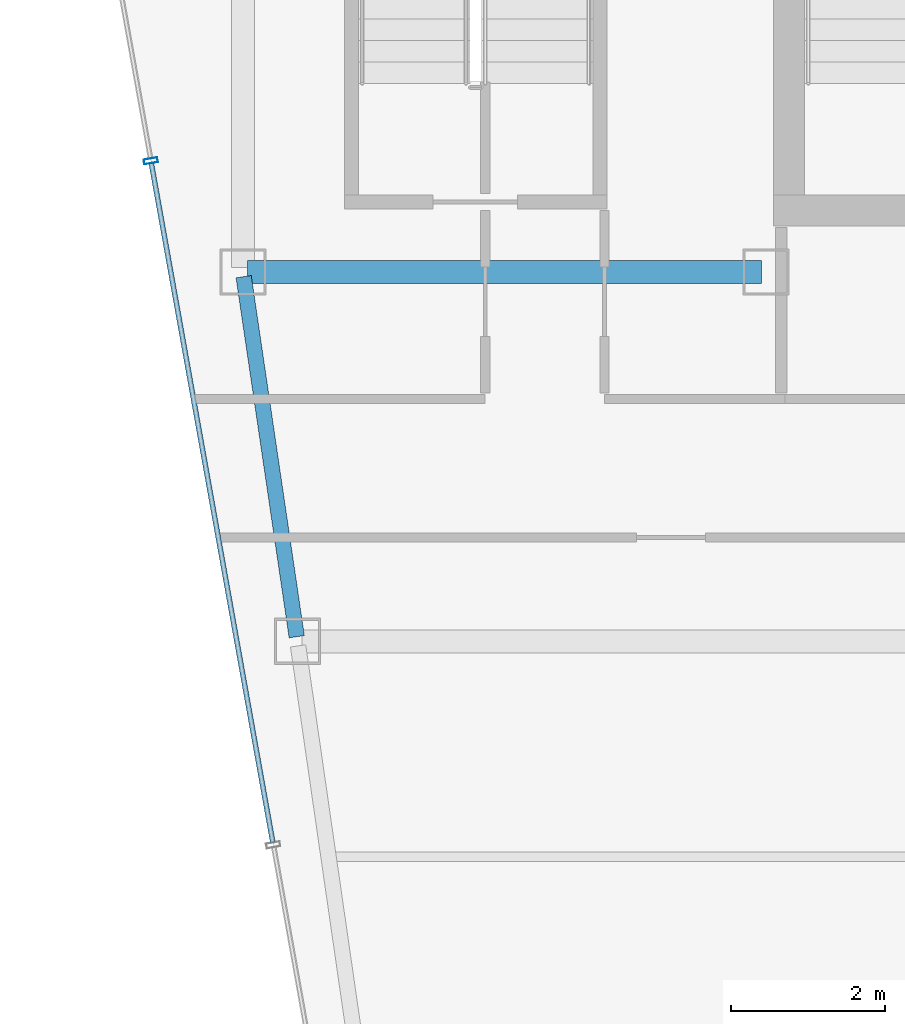
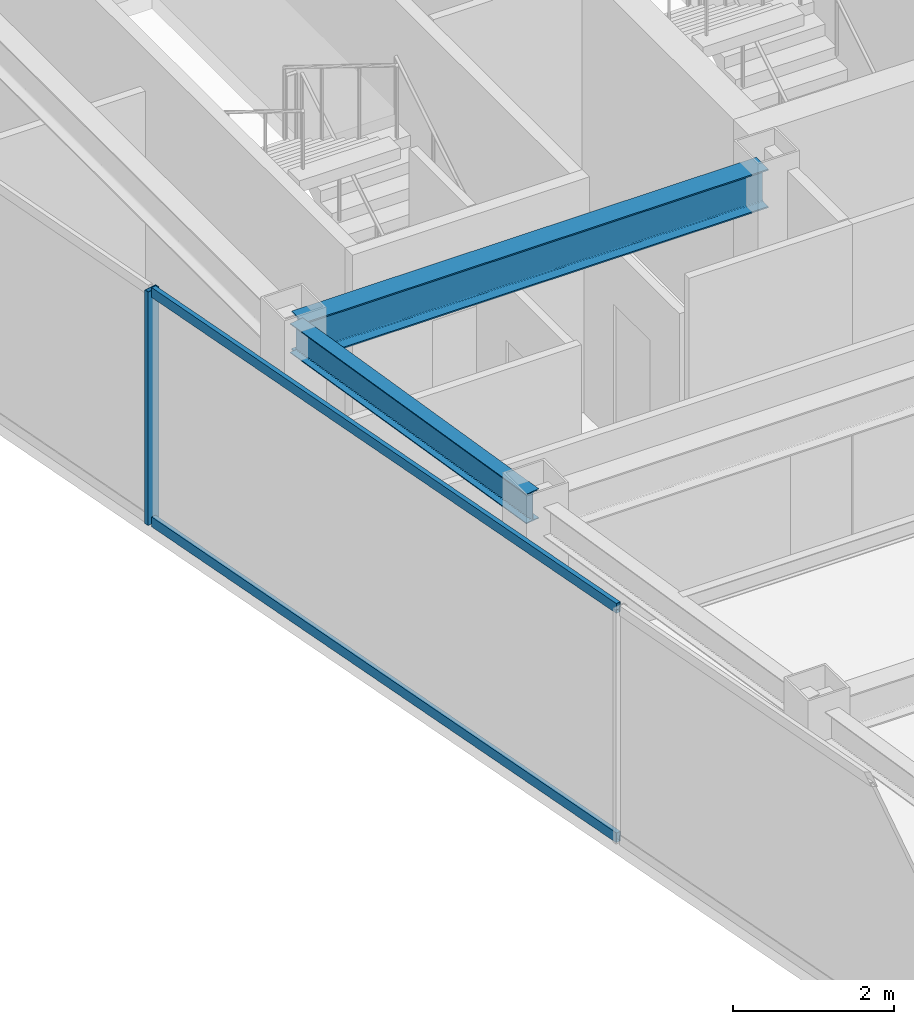
# One storey, part 9 of 32: 3 members, 2 beams, 1 element without a shape of its own.
"""IFC4 building model written with IfcOpenShell, lengths in metres."""

from ifc_helpers import new_model, si_unit, direction, frame, origin, origin_2d, place, context, subcontext, project, spatial, hollow_rectangle, i_section, extrude, material, material_profile, profile_set, type_object, element, aggregate, save


model = new_model("IFC4")

# Units and contexts
model_context = context("Model", 3, precision=1e-05, world=origin(), true_north=direction((0.0, 1.0)))
body_context = subcontext(model_context, "Body", "Model", "MODEL_VIEW")
ifc_project = project(units=[si_unit("LENGTHUNIT", "METRE"), si_unit("AREAUNIT", "SQUARE_METRE"), si_unit("VOLUMEUNIT", "CUBIC_METRE"), si_unit("PLANEANGLEUNIT", "RADIAN"), si_unit("MASSUNIT", "GRAM", prefix="KILO")], contexts=[model_context])

# Site, building, storey
site_placement = place(None, origin())
site = spatial("IfcSite", under=ifc_project, at=site_placement, CompositionType="ELEMENT")
building_placement = place(site_placement, origin())
building = spatial("IfcBuilding", under=site, at=building_placement, Name="Saevonmaru Cultural Tower", CompositionType="ELEMENT")
storey_placement = place(building_placement, frame((0.0, 0.0, 264.800048828125)))
storey = spatial("IfcBuildingStorey", under=building, at=storey_placement, Name="L62", CompositionType="ELEMENT", Elevation=264.800048828125)

# Beams
ifc_material_1 = material(Name="Steel SM355", Category="steel")
ifc_material_profile_1 = material_profile(ifc_material_1, i_section(OverallWidth=0.300048828125, OverallDepth=0.587890625, WebThickness=0.011962890625, FlangeThickness=0.02001953125, FilletRadius=0.02392578125, at=origin_2d()), Name="H-588x300x12x20")
ifc_profile_set_1 = profile_set([ifc_material_profile_1], Name="Steel SM355")
beam_type_1 = type_object("IfcBeamType", Name="BM-G-H588", PredefinedType="BEAM", material=ifc_profile_set_1)
beam_1_placement = place(storey_placement, frame((6.860107421875, 42.39990234375, 3.255859375), z_axis=(1.0, 0.0, 0.0), x_axis=(0.0, 1.0, 0.0)))
element("IfcBeam", 1, at=beam_1_placement, inside=storey, type_object=beam_type_1, Name="L62 Core South Girder 1", PredefinedType="BEAM", context=body_context, shape_type="SweptSolid", body=[
    extrude(i_section(OverallWidth=0.300048828125, OverallDepth=0.587890625, WebThickness=0.011962890625, FlangeThickness=0.02001953125, FilletRadius=0.02392578125, at=origin_2d()), origin(), (0.0, 0.0, 1.0), 6.679931640625),
])
ifc_material_profile_2 = material_profile(ifc_material_1, i_section(OverallWidth=0.199951171875, OverallDepth=0.449951171875, WebThickness=0.009033203125, FlangeThickness=0.013916015625, FilletRadius=0.01806640625, at=origin_2d()), Name="H-450x200x9x14")
ifc_profile_set_2 = profile_set([ifc_material_profile_2], Name="Steel SM355")
beam_type_2 = type_object("IfcBeamType", Name="BM-SP-H450", PredefinedType="SPANDREL", material=ifc_profile_set_2)
beam_2_placement = place(storey_placement, frame((7.499267578125, 37.659423828125, 3.324951171875), z_axis=(-0.145912860028, 0.989297446312, 0.0), x_axis=(-0.989297446312, -0.145912860028, 0.0)))
element("IfcBeam", 2, at=beam_2_placement, inside=storey, type_object=beam_type_2, Name="L62 West Splayed Spandrel 3", PredefinedType="SPANDREL", context=body_context, shape_type="SweptSolid", body=[
    extrude(i_section(OverallWidth=0.199951171875, OverallDepth=0.449951171875, WebThickness=0.009033203125, FlangeThickness=0.013916015625, FilletRadius=0.01806640625, at=origin_2d()), origin(), (0.0, 0.0, 1.0), 4.731689453125),
])

# Curtain wall, members
ifc_material_2 = material(Name="Satin Bronze Anodised Aluminium", Category="aluminium")
curtain_wall_type = type_object("IfcCurtainWallType", Name="CW-TYP-B", PredefinedType="NOTDEFINED", material=ifc_material_2)
curtain_wall_placement = place(storey_placement, origin())
curtain_wall = element("IfcCurtainWall", 3, at=curtain_wall_placement, inside=storey, type_object=curtain_wall_type, Name="L62 Unitised Curtain Wall E12", PredefinedType="NOTDEFINED")
ifc_material_profile_3 = material_profile(ifc_material_2, hollow_rectangle(XDim=0.06494140625, YDim=0.179931640625, WallThickness=0.00390625, at=origin_2d()), Name="ALU-MULL-180x65x4")
ifc_profile_set_3 = profile_set([ifc_material_profile_3], Name="Satin Bronze Anodised Aluminium")
member_type_1 = type_object("IfcMemberType", Name="ML-CW-180x65", PredefinedType="MULLION", material=ifc_profile_set_3)
member_1_placement = place(storey_placement, frame((5.60205078125, 43.846923828125, 0.0), z_axis=(0.0, 0.0, 1.0), x_axis=(0.176140740755, -0.984364993001, 0.0)))
member_1 = element("IfcMember", 4, at=member_1_placement, type_object=member_type_1, Name="CW-TW-L62-E12 mullion 2", PredefinedType="MULLION", context=body_context, shape_type="SweptSolid", body=[
    extrude(hollow_rectangle(XDim=0.06494140625, YDim=0.179931640625, WallThickness=0.00390625, at=origin_2d()), origin(), (0.0, 0.0, 1.0), 3.550048828125),
])
ifc_material_profile_4 = material_profile(ifc_material_2, hollow_rectangle(XDim=0.06494140625, YDim=0.14990234375, WallThickness=0.00390625, at=origin_2d()), Name="ALU-TRAN-150x65x4")
ifc_profile_set_4 = profile_set([ifc_material_profile_4], Name="Satin Bronze Anodised Aluminium")
member_type_2 = type_object("IfcMemberType", Name="TR-CW-150x65", PredefinedType="USERDEFINED", material=ifc_profile_set_4)
member_2_placement = place(storey_placement, frame((5.60791015625, 43.81494140625, 0.032470703125), z_axis=(0.176123157264, -0.984368139202, 0.0), x_axis=(0.984368139202, 0.176123157264, 0.0)))
member_2 = element("IfcMember", 5, at=member_2_placement, type_object=member_type_2, Name="CW-TW-L62-E12 transom 2.1", ObjectType="TRANSOM", PredefinedType="USERDEFINED", context=body_context, shape_type="SweptSolid", body=[
    extrude(hollow_rectangle(XDim=0.06494140625, YDim=0.14990234375, WallThickness=0.00390625, at=origin_2d()), origin(), (0.0, 0.0, 1.0), 8.969970703125),
])
member_3_placement = place(storey_placement, frame((5.60791015625, 43.81494140625, 3.517333984375), z_axis=(0.176123157264, -0.984368139202, 0.0), x_axis=(0.984368139202, 0.176123157264, 0.0)))
member_3 = element("IfcMember", 6, at=member_3_placement, type_object=member_type_2, Name="CW-TW-L62-E12 transom 2.2", ObjectType="TRANSOM", PredefinedType="USERDEFINED", context=body_context, shape_type="SweptSolid", body=[
    extrude(hollow_rectangle(XDim=0.06494140625, YDim=0.14990234375, WallThickness=0.00390625, at=origin_2d()), origin(), (0.0, 0.0, 1.0), 8.969970703125),
])
aggregate(curtain_wall, [member_1, member_2, member_3])

save(model, "model.ifc")
